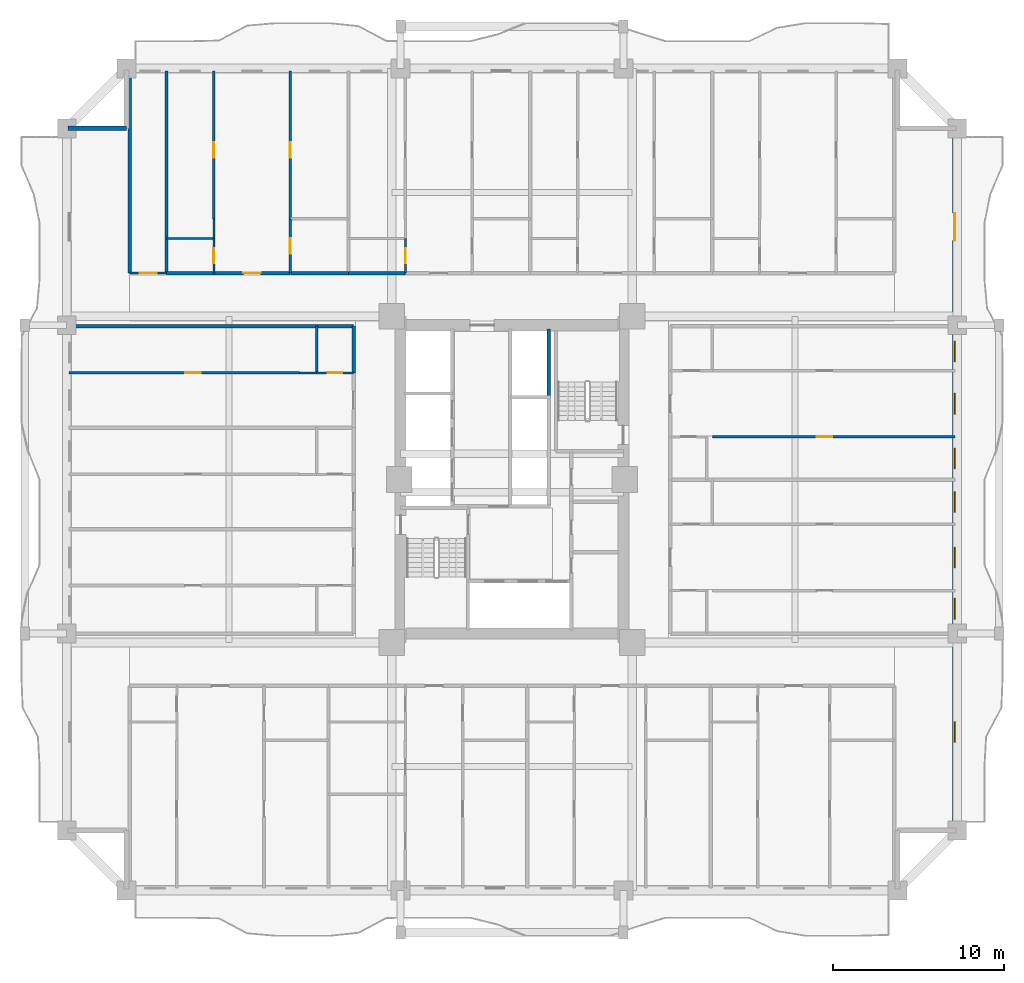
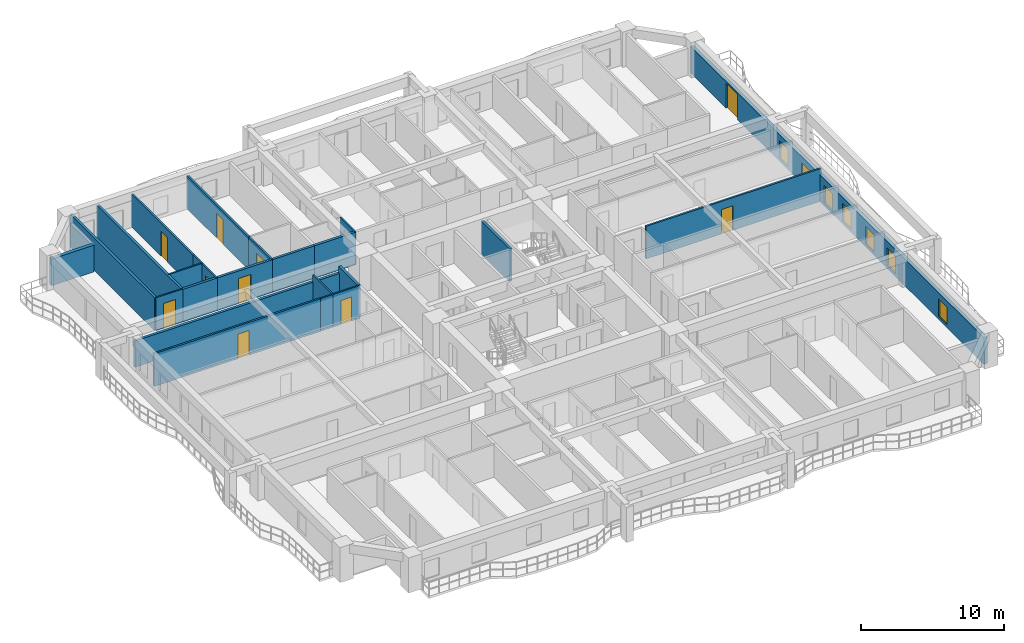
# One storey, part 6 of 16: 24 walls, 11 doors, 7 windows, 18 openings.
"""IFC4 building model written with IfcOpenShell, lengths in metres."""

from ifc_helpers import new_model, si_unit, direction, frame, frame_2d, origin, place, context, subcontext, project, spatial, rectangle, extrude, source, transform, mapped, material, layer, layer_set, type_object, element, fill, save


model = new_model("IFC4")

# Units and contexts
model_context = context("Model", 3, precision=1e-05, world=origin(), true_north=direction((0.0, 1.0)))
body_context = subcontext(model_context, "Body", "Model", "MODEL_VIEW")
ifc_project = project(units=[si_unit("LENGTHUNIT", "METRE"), si_unit("AREAUNIT", "SQUARE_METRE"), si_unit("VOLUMEUNIT", "CUBIC_METRE"), si_unit("PLANEANGLEUNIT", "RADIAN"), si_unit("MASSUNIT", "GRAM", prefix="KILO")], contexts=[model_context])

# Site, building, storey
site_placement = place(None, origin())
site = spatial("IfcSite", under=ifc_project, at=site_placement, CompositionType="ELEMENT")
building_placement = place(site_placement, origin())
building = spatial("IfcBuilding", under=site, at=building_placement, Name="Saelheon Loggia Tower", CompositionType="ELEMENT")
storey_placement = place(building_placement, frame((0.0, 0.0, 31.39990234375)))
storey = spatial("IfcBuildingStorey", under=building, at=storey_placement, Name="L09", CompositionType="ELEMENT", Elevation=31.39990234375)

# Wall, openings, windows, door
ifc_material_1 = material(Name="Architectural Precast Concrete C40/50", Category="concrete")
ifc_layer_1 = layer(ifc_material_1, 0.280029296875)
ifc_layer_set_1 = layer_set([ifc_layer_1], Name="Architectural Precast Concrete C40/50")
wall_type_1 = type_object("IfcWallType", Name="Wall_Ext_Loggia_280", PredefinedType="SOLIDWALL", material=ifc_layer_set_1)
wall_1_placement = place(storey_placement, frame((63.860107421875, 6.5, 0.0), z_axis=(0.0, 0.0, 1.0), x_axis=(0.0, 1.0, 0.0)))
wall_1 = element("IfcWall", 1, at=wall_1_placement, inside=storey, type_object=wall_type_1, Name="L09 East Loggia Inner Wall", PredefinedType="SOLIDWALL", context=body_context, shape_type="SweptSolid", body=[
    extrude(rectangle(XDim=41.0, YDim=0.280029296875, at=frame_2d((20.5, 0.0))), origin(), (0.0, 0.0, 1.0), 2.280029296875),
])
opening_1_placement = place(wall_1_placement, frame((5.14990234375, 0.0, 0.25)))
opening_1 = element("IfcOpeningElement", 2, at=opening_1_placement, cuts=wall_1, Name="Opening WN-03", PredefinedType="OPENING", context=body_context, shape_type="SweptSolid", body=[
    extrude(rectangle(XDim=1.199951171875, YDim=1.5, at=frame_2d((0.60009765625, 0.75))), frame((0.0, 0.152099609375, 0.0), z_axis=(0.0, -1.0, 0.0), x_axis=(1.0, 0.0, 0.0)), (0.0, 0.0, 1.0), 0.303955078125),
])
opening_2_placement = place(wall_1_placement, frame((12.3515625, 0.0, 0.25)))
opening_2 = element("IfcOpeningElement", 3, at=opening_2_placement, cuts=wall_1, Name="Opening WN-03", PredefinedType="OPENING", context=body_context, shape_type="SweptSolid", body=[
    extrude(rectangle(XDim=1.199951171875, YDim=1.5, at=frame_2d((0.60009765625, 0.75))), frame((0.0, 0.152099609375, 0.0), z_axis=(0.0, -1.0, 0.0), x_axis=(1.0, 0.0, 0.0)), (0.0, 0.0, 1.0), 0.303955078125),
])
opening_3_placement = place(wall_1_placement, frame((15.343994140625, 0.0, 0.25)))
opening_3 = element("IfcOpeningElement", 4, at=opening_3_placement, cuts=wall_1, Name="Opening WN-03", PredefinedType="OPENING", context=body_context, shape_type="SweptSolid", body=[
    extrude(rectangle(XDim=1.199951171875, YDim=1.5, at=frame_2d((0.60009765625, 0.75))), frame((0.0, 0.152099609375, 0.0), z_axis=(0.0, -1.0, 0.0), x_axis=(1.0, 0.0, 0.0)), (0.0, 0.0, 1.0), 0.303955078125),
])
opening_4_placement = place(wall_1_placement, frame((18.574951171875, 0.0, 0.25)))
opening_4 = element("IfcOpeningElement", 5, at=opening_4_placement, cuts=wall_1, Name="Opening WN-03", PredefinedType="OPENING", context=body_context, shape_type="SweptSolid", body=[
    extrude(rectangle(XDim=1.199951171875, YDim=1.5, at=frame_2d((0.60009765625, 0.75))), frame((0.0, 0.152099609375, 0.0), z_axis=(0.0, -1.0, 0.0), x_axis=(1.0, 0.0, 0.0)), (0.0, 0.0, 1.0), 0.303955078125),
])
opening_5_placement = place(wall_1_placement, frame((21.131591796875, 0.0, 0.25)))
opening_5 = element("IfcOpeningElement", 6, at=opening_5_placement, cuts=wall_1, Name="Opening WN-03", PredefinedType="OPENING", context=body_context, shape_type="SweptSolid", body=[
    extrude(rectangle(XDim=1.199951171875, YDim=1.5, at=frame_2d((0.60009765625, 0.75))), frame((0.0, 0.152099609375, 0.0), z_axis=(0.0, -1.0, 0.0), x_axis=(1.0, 0.0, 0.0)), (0.0, 0.0, 1.0), 0.303955078125),
])
opening_6_placement = place(wall_1_placement, frame((24.319091796875, 0.0, 0.25)))
opening_6 = element("IfcOpeningElement", 7, at=opening_6_placement, cuts=wall_1, Name="Opening WN-03", PredefinedType="OPENING", context=body_context, shape_type="SweptSolid", body=[
    extrude(rectangle(XDim=1.199951171875, YDim=1.5, at=frame_2d((0.60009765625, 0.75))), frame((0.0, 0.152099609375, 0.0), z_axis=(0.0, -1.0, 0.0), x_axis=(1.0, 0.0, 0.0)), (0.0, 0.0, 1.0), 0.303955078125),
])
opening_7_placement = place(wall_1_placement, frame((27.3798828125, 0.0, 0.25)))
opening_7 = element("IfcOpeningElement", 8, at=opening_7_placement, cuts=wall_1, Name="Opening WN-03", PredefinedType="OPENING", context=body_context, shape_type="SweptSolid", body=[
    extrude(rectangle(XDim=1.199951171875, YDim=1.5, at=frame_2d((0.60009765625, 0.75))), frame((0.0, 0.152099609375, 0.0), z_axis=(0.0, -1.0, 0.0), x_axis=(1.0, 0.0, 0.0)), (0.0, 0.0, 1.0), 0.303955078125),
])
opening_8_placement = place(wall_1_placement, frame((36.050048828125, 0.0, 0.0), z_axis=(0.0, 0.0, 1.0), x_axis=(-1.0, 0.0, 0.0)))
opening_8 = element("IfcOpeningElement", 9, at=opening_8_placement, cuts=wall_1, Name="Opening DLG-1", PredefinedType="OPENING", context=body_context, shape_type="SweptSolid", body=[
    extrude(rectangle(XDim=1.60009765625, YDim=2.14990234375, at=frame_2d((0.800048828125, 1.074951171875))), frame((0.0, 0.152099609375, 0.0), z_axis=(0.0, -1.0, 0.0), x_axis=(1.0, 0.0, 0.0)), (0.0, 0.0, 1.0), 0.303955078125),
])
ifc_material_2 = material(Name="Thermal-Break Aluminium and Triple Low-E Glass", Category="aluminium")
window_type = type_object("IfcWindowType", Name="Win_Bedroom_1200x1500", PartitioningType="SINGLE_PANEL", PredefinedType="WINDOW", material=ifc_material_2)
shared_shape_1 = source(origin(), body_context, "Body", "SweptSolid", [
    extrude(rectangle(XDim=1.199951171875, YDim=1.5, at=frame_2d((0.60009765625, 0.75))), frame((0.0, 0.030029296875, 0.0), z_axis=(0.0, -1.0, 0.0), x_axis=(1.0, 0.0, 0.0)), (0.0, 0.0, 1.0), 0.06005859375),
])
window_1_placement = place(opening_1_placement, origin())
window_1 = element("IfcWindow", 10, at=window_1_placement, inside=storey, type_object=window_type, Name="L09 E Dwelling Window 1", OverallHeight=1.5, OverallWidth=1.199951171875, PartitioningType="SINGLE_PANEL", PredefinedType="WINDOW", context=body_context, shape_type="MappedRepresentation", body=[
    mapped(shared_shape_1, transform((0.0, 0.0, 0.0), scale=1.0)),
])
fill(opening_1, window_1)
window_2_placement = place(opening_2_placement, origin())
window_2 = element("IfcWindow", 11, at=window_2_placement, inside=storey, type_object=window_type, Name="L09 E Dwelling Window 2", OverallHeight=1.5, OverallWidth=1.199951171875, PartitioningType="SINGLE_PANEL", PredefinedType="WINDOW", context=body_context, shape_type="MappedRepresentation", body=[
    mapped(shared_shape_1, transform((0.0, 0.0, 0.0), scale=1.0)),
])
fill(opening_2, window_2)
window_3_placement = place(opening_3_placement, origin())
window_3 = element("IfcWindow", 12, at=window_3_placement, inside=storey, type_object=window_type, Name="L09 E Dwelling Window 3", OverallHeight=1.5, OverallWidth=1.199951171875, PartitioningType="SINGLE_PANEL", PredefinedType="WINDOW", context=body_context, shape_type="MappedRepresentation", body=[
    mapped(shared_shape_1, transform((0.0, 0.0, 0.0), scale=1.0)),
])
fill(opening_3, window_3)
window_4_placement = place(opening_4_placement, origin())
window_4 = element("IfcWindow", 13, at=window_4_placement, inside=storey, type_object=window_type, Name="L09 E Dwelling Window 4", OverallHeight=1.5, OverallWidth=1.199951171875, PartitioningType="SINGLE_PANEL", PredefinedType="WINDOW", context=body_context, shape_type="MappedRepresentation", body=[
    mapped(shared_shape_1, transform((0.0, 0.0, 0.0), scale=1.0)),
])
fill(opening_4, window_4)
window_5_placement = place(opening_5_placement, origin())
window_5 = element("IfcWindow", 14, at=window_5_placement, inside=storey, type_object=window_type, Name="L09 E Dwelling Window 5", OverallHeight=1.5, OverallWidth=1.199951171875, PartitioningType="SINGLE_PANEL", PredefinedType="WINDOW", context=body_context, shape_type="MappedRepresentation", body=[
    mapped(shared_shape_1, transform((0.0, 0.0, 0.0), scale=1.0)),
])
fill(opening_5, window_5)
window_6_placement = place(opening_6_placement, origin())
window_6 = element("IfcWindow", 15, at=window_6_placement, inside=storey, type_object=window_type, Name="L09 E Dwelling Window 6", OverallHeight=1.5, OverallWidth=1.199951171875, PartitioningType="SINGLE_PANEL", PredefinedType="WINDOW", context=body_context, shape_type="MappedRepresentation", body=[
    mapped(shared_shape_1, transform((0.0, 0.0, 0.0), scale=1.0)),
])
fill(opening_6, window_6)
window_7_placement = place(opening_7_placement, origin())
window_7 = element("IfcWindow", 16, at=window_7_placement, inside=storey, type_object=window_type, Name="L09 E Dwelling Window 7", OverallHeight=1.5, OverallWidth=1.199951171875, PartitioningType="SINGLE_PANEL", PredefinedType="WINDOW", context=body_context, shape_type="MappedRepresentation", body=[
    mapped(shared_shape_1, transform((0.0, 0.0, 0.0), scale=1.0)),
])
fill(opening_7, window_7)
ifc_material_3 = material(Name="Thermal-Break Aluminium Sliding Glazed Door", Category="aluminium")
door_type_1 = type_object("IfcDoorType", Name="Door_LoggiaSlide_1600", OperationType="SLIDING_TO_LEFT", PredefinedType="DOOR", material=ifc_material_3)
shared_shape_2 = source(origin(), body_context, "Body", "SweptSolid", [
    extrude(rectangle(XDim=1.60009765625, YDim=2.14990234375, at=frame_2d((0.800048828125, 1.074951171875))), frame((0.0, 0.02490234375, 0.0), z_axis=(0.0, -1.0, 0.0), x_axis=(1.0, 0.0, 0.0)), (0.0, 0.0, 1.0), 0.050048828125),
])
door_1_placement = place(opening_8_placement, origin())
door_1 = element("IfcDoor", 17, at=door_1_placement, inside=storey, type_object=door_type_1, Name="L09 E Loggia Access Door", OperationType="SLIDING_TO_LEFT", OverallHeight=2.14990234375, OverallWidth=1.60009765625, PredefinedType="DOOR", context=body_context, shape_type="MappedRepresentation", body=[
    mapped(shared_shape_2, transform((0.0, 0.0, 0.0), scale=1.0)),
])
fill(opening_8, door_1)

# Wall
wall_2_placement = place(storey_placement, frame((12.080078125, 47.5, 0.0), z_axis=(0.0, 0.0, 1.0), x_axis=(1.0, 0.0, 0.0)))
element("IfcWall", 18, at=wall_2_placement, inside=storey, type_object=wall_type_1, Name="L09 Corner Notch Precast Wall NW2", PredefinedType="SOLIDWALL", context=body_context, shape_type="SweptSolid", body=[
    extrude(rectangle(XDim=3.419921875, YDim=0.280029296875, at=frame_2d((1.7099609375, 0.0))), origin(), (0.0, 0.0, 1.0), 2.280029296875),
])

# Wall, opening, door
ifc_material_4 = material(Name="Lightweight Autoclaved Aerated Concrete Block and Acoustic Gypsum", Category="concrete")
ifc_layer_2 = layer(ifc_material_4, 0.14990234375)
ifc_layer_set_2 = layer_set([ifc_layer_2], Name="Lightweight Autoclaved Aerated Concrete Block and Acoustic Gypsum")
wall_type_2 = type_object("IfcWallType", Name="Wall_Part_150", PredefinedType="PARTITIONING", material=ifc_layer_set_2)
wall_3_placement = place(storey_placement, frame((20.591796875, 42.219970703125, 0.0), z_axis=(0.0, 0.0, 1.0), x_axis=(0.0, 1.0, 0.0)))
wall_3 = element("IfcWall", 19, at=wall_3_placement, inside=storey, type_object=wall_type_2, Name="L09 N Partition U12", PredefinedType="PARTITIONING", context=body_context, shape_type="SweptSolid", body=[
    extrude(rectangle(XDim=8.630126953125, YDim=0.14990234375, at=frame_2d((4.31494140625, 0.0))), origin(), (0.0, 0.0, 1.0), 2.7900390625),
])
opening_9_placement = place(wall_3_placement, frame((3.56298828125, 0.0, 0.0)))
opening_9 = element("IfcOpeningElement", 20, at=opening_9_placement, cuts=wall_3, Name="Opening D-IN2", PredefinedType="OPENING", context=body_context, shape_type="SweptSolid", body=[
    extrude(rectangle(XDim=0.89990234375, YDim=2.10009765625, at=frame_2d((0.449951171875, 1.050048828125))), frame((0.0, 0.0869140625, 0.0), z_axis=(0.0, -1.0, 0.0), x_axis=(1.0, 0.0, 0.0)), (0.0, 0.0, 1.0), 0.173828125),
])
ifc_material_5 = material(Name="Engineered Oak Flush Door", Category="timber")
door_type_2 = type_object("IfcDoorType", Name="Door_Int_900", OperationType="NOTDEFINED", PredefinedType="DOOR", material=ifc_material_5)
shared_shape_3 = source(origin(), body_context, "Body", "SweptSolid", [
    extrude(rectangle(XDim=0.89990234375, YDim=2.10009765625, at=frame_2d((0.449951171875, 1.050048828125))), frame((0.0, 0.02490234375, 0.0), z_axis=(0.0, -1.0, 0.0), x_axis=(1.0, 0.0, 0.0)), (0.0, 0.0, 1.0), 0.050048828125),
])
door_2_placement = place(opening_9_placement, origin())
door_2 = element("IfcDoor", 21, at=door_2_placement, inside=storey, type_object=door_type_2, Name="Unit U05 Bedroom 2 Door", OperationType="SINGLE_SWING_LEFT", OverallHeight=2.10009765625, OverallWidth=0.89990234375, PredefinedType="DOOR", context=body_context, shape_type="MappedRepresentation", body=[
    mapped(shared_shape_3, transform((0.0, 0.0, 0.0), scale=1.0)),
])
fill(opening_9, door_2)

wall_4_placement = place(storey_placement, frame((25.05322265625, 39.050048828125, 0.0), z_axis=(0.0, 0.0, 1.0), x_axis=(0.0, 1.0, 0.0)))
wall_4 = element("IfcWall", 22, at=wall_4_placement, inside=storey, type_object=wall_type_2, Name="L09 N Partition U13", PredefinedType="PARTITIONING", context=body_context, shape_type="SweptSolid", body=[
    extrude(rectangle(XDim=3.169921875, YDim=0.14990234375, at=frame_2d((1.5849609375, 0.0))), origin(), (0.0, 0.0, 1.0), 2.7900390625),
])
opening_10_placement = place(wall_4_placement, frame((1.135009765625, 0.0, 0.0)))
opening_10 = element("IfcOpeningElement", 23, at=opening_10_placement, cuts=wall_4, Name="Opening D-IN2", PredefinedType="OPENING", context=body_context, shape_type="SweptSolid", body=[
    extrude(rectangle(XDim=0.89990234375, YDim=2.10009765625, at=frame_2d((0.449951171875, 1.050048828125))), frame((0.0, 0.0869140625, 0.0), z_axis=(0.0, -1.0, 0.0), x_axis=(1.0, 0.0, 0.0)), (0.0, 0.0, 1.0), 0.173828125),
])
door_3_placement = place(opening_10_placement, origin())
door_3 = element("IfcDoor", 24, at=door_3_placement, inside=storey, type_object=door_type_2, Name="Unit U05 Kitchen Door", OperationType="SINGLE_SWING_RIGHT", OverallHeight=2.10009765625, OverallWidth=0.89990234375, PredefinedType="DOOR", context=body_context, shape_type="MappedRepresentation", body=[
    mapped(shared_shape_3, transform((0.0, 0.0, 0.0), scale=1.0)),
])
fill(opening_10, door_3)

wall_5_placement = place(storey_placement, frame((25.05322265625, 42.219970703125, 0.0), z_axis=(0.0, 0.0, 1.0), x_axis=(0.0, 1.0, 0.0)))
wall_5 = element("IfcWall", 25, at=wall_5_placement, inside=storey, type_object=wall_type_2, Name="L09 N Partition U14", PredefinedType="PARTITIONING", context=body_context, shape_type="SweptSolid", body=[
    extrude(rectangle(XDim=8.630126953125, YDim=0.14990234375, at=frame_2d((4.31494140625, 0.0))), origin(), (0.0, 0.0, 1.0), 2.7900390625),
])
opening_11_placement = place(wall_5_placement, frame((3.56298828125, 0.0, 0.0)))
opening_11 = element("IfcOpeningElement", 26, at=opening_11_placement, cuts=wall_5, Name="Opening D-IN2", PredefinedType="OPENING", context=body_context, shape_type="SweptSolid", body=[
    extrude(rectangle(XDim=0.89990234375, YDim=2.10009765625, at=frame_2d((0.449951171875, 1.050048828125))), frame((0.0, 0.0869140625, 0.0), z_axis=(0.0, -1.0, 0.0), x_axis=(1.0, 0.0, 0.0)), (0.0, 0.0, 1.0), 0.173828125),
])
door_4_placement = place(opening_11_placement, origin())
door_4 = element("IfcDoor", 27, at=door_4_placement, inside=storey, type_object=door_type_2, Name="Unit U05 Bedroom 1 Door", OperationType="SINGLE_SWING_LEFT", OverallHeight=2.10009765625, OverallWidth=0.89990234375, PredefinedType="DOOR", context=body_context, shape_type="MappedRepresentation", body=[
    mapped(shared_shape_3, transform((0.0, 0.0, 0.0), scale=1.0)),
])
fill(opening_11, door_4)

wall_6_placement = place(storey_placement, frame((25.580078125, 33.22509765625, 0.0), z_axis=(0.0, 0.0, 1.0), x_axis=(-1.0, 0.0, 0.0)))
wall_6 = element("IfcWall", 28, at=wall_6_placement, inside=storey, type_object=wall_type_2, Name="L09 W Partition U22", PredefinedType="PARTITIONING", context=body_context, shape_type="SweptSolid", body=[
    extrude(rectangle(XDim=13.43017578125, YDim=0.14990234375, at=frame_2d((6.715087890625, 0.0))), origin(), (0.0, 0.0, 1.0), 2.7900390625),
])
opening_12_placement = place(wall_6_placement, frame((5.762939453125, 0.0, 0.0)))
opening_12 = element("IfcOpeningElement", 29, at=opening_12_placement, cuts=wall_6, Name="Opening D-IN2", PredefinedType="OPENING", context=body_context, shape_type="SweptSolid", body=[
    extrude(rectangle(XDim=0.89990234375, YDim=2.10009765625, at=frame_2d((0.449951171875, 1.050048828125))), frame((0.0, 0.0869140625, 0.0), z_axis=(0.0, -1.0, 0.0), x_axis=(1.0, 0.0, 0.0)), (0.0, 0.0, 1.0), 0.173828125),
])
door_5_placement = place(opening_12_placement, origin())
door_5 = element("IfcDoor", 30, at=door_5_placement, inside=storey, type_object=door_type_2, Name="Unit U11 Kitchen Door", OperationType="SINGLE_SWING_LEFT", OverallHeight=2.10009765625, OverallWidth=0.89990234375, PredefinedType="DOOR", context=body_context, shape_type="MappedRepresentation", body=[
    mapped(shared_shape_3, transform((0.0, 0.0, 0.0), scale=1.0)),
])
fill(opening_12, door_5)

wall_7_placement = place(storey_placement, frame((49.699951171875, 29.488037109375, 0.0), z_axis=(0.0, 0.0, 1.0), x_axis=(1.0, 0.0, 0.0)))
wall_7 = element("IfcWall", 31, at=wall_7_placement, inside=storey, type_object=wall_type_2, Name="L09 E Partition U19", PredefinedType="PARTITIONING", context=body_context, shape_type="SweptSolid", body=[
    extrude(rectangle(XDim=14.150146484375, YDim=0.14990234375, at=frame_2d((7.0751953125, 0.0))), origin(), (0.0, 0.0, 1.0), 2.7900390625),
])
opening_13_placement = place(wall_7_placement, frame((6.093017578125, 0.0, 0.0)))
opening_13 = element("IfcOpeningElement", 32, at=opening_13_placement, cuts=wall_7, Name="Opening D-IN2", PredefinedType="OPENING", context=body_context, shape_type="SweptSolid", body=[
    extrude(rectangle(XDim=0.89990234375, YDim=2.10009765625, at=frame_2d((0.449951171875, 1.050048828125))), frame((0.0, 0.0869140625, 0.0), z_axis=(0.0, -1.0, 0.0), x_axis=(1.0, 0.0, 0.0)), (0.0, 0.0, 1.0), 0.173828125),
])
door_6_placement = place(opening_13_placement, origin())
door_6 = element("IfcDoor", 33, at=door_6_placement, inside=storey, type_object=door_type_2, Name="Unit U13 Kitchen Door", OperationType="SINGLE_SWING_LEFT", OverallHeight=2.10009765625, OverallWidth=0.89990234375, PredefinedType="DOOR", context=body_context, shape_type="MappedRepresentation", body=[
    mapped(shared_shape_3, transform((0.0, 0.0, 0.0), scale=1.0)),
])
fill(opening_13, door_6)

# Walls
ifc_material_6 = material(Name="Double Acoustic Stud and Fireboard Partition", Category="gypsum")
ifc_layer_3 = layer(ifc_material_6, 0.199951171875)
ifc_layer_set_3 = layer_set([ifc_layer_3], Name="Double Acoustic Stud and Fireboard Partition")
wall_type_3 = type_object("IfcWallType", Name="Wall_Party_200", PredefinedType="PARTITIONING", material=ifc_layer_set_3)
for number, where, z_axis, x_axis, name in (
    (34, (15.679931640625, 39.050048828125, 0.0), (0.0, 0.0, 1.0), (0.0, 1.0, 0.0), "L09 N Partition U01"),
    (35, (17.830078125, 39.050048828125, 0.0), (0.0, 0.0, 1.0), (0.0, 1.0, 0.0), "L09 N Partition U03"),
):
    element("IfcWall", number, at=place(storey_placement, frame(where, z_axis=z_axis, x_axis=x_axis)), inside=storey, type_object=wall_type_3, Name=name, PredefinedType="PARTITIONING", context=body_context, shape_type="SweptSolid", body=[
        extrude(rectangle(XDim=11.800048828125, YDim=0.199951171875, at=frame_2d((5.89990234375, 0.0))), origin(), (0.0, 0.0, 1.0), 2.7900390625),
    ])
wall_8_placement = place(storey_placement, frame((17.830078125, 39.050048828125, 0.0), z_axis=(0.0, 0.0, 1.0), x_axis=(1.0, 0.0, 0.0)))
element("IfcWall", 36, at=wall_8_placement, inside=storey, type_object=wall_type_3, Name="L09 N Partition V05", PredefinedType="PARTITIONING", context=body_context, shape_type="SweptSolid", body=[
    extrude(rectangle(XDim=2.76171875, YDim=0.199951171875, at=frame_2d((1.380859375, 0.0))), origin(), (0.0, 0.0, 1.0), 2.7900390625),
])

# Wall, opening, door
wall_9_placement = place(storey_placement, frame((20.591796875, 39.050048828125, 0.0), z_axis=(0.0, 0.0, 1.0), x_axis=(1.0, 0.0, 0.0)))
wall_9 = element("IfcWall", 37, at=wall_9_placement, inside=storey, type_object=wall_type_3, Name="L09 N Partition V06", PredefinedType="PARTITIONING", context=body_context, shape_type="SweptSolid", body=[
    extrude(rectangle(XDim=4.46142578125, YDim=0.199951171875, at=frame_2d((2.230712890625, 0.0))), origin(), (0.0, 0.0, 1.0), 2.7900390625),
])
opening_14_placement = place(wall_9_placement, frame((1.730712890625, 0.0, 0.0)))
opening_14 = element("IfcOpeningElement", 38, at=opening_14_placement, cuts=wall_9, Name="Opening D-FD1", PredefinedType="OPENING", context=body_context, shape_type="SweptSolid", body=[
    extrude(rectangle(XDim=1.0, YDim=2.14990234375, at=frame_2d((0.5, 1.074951171875))), frame((0.0, 0.112060546875, 0.0), z_axis=(0.0, -1.0, 0.0), x_axis=(1.0, 0.0, 0.0)), (0.0, 0.0, 1.0), 0.223876953125),
])
ifc_material_7 = material(Name="Fire-Rated Engineered Timber Entrance Door", Category="wood")
door_type_3 = type_object("IfcDoorType", Name="Door_Flat_FD30S", OperationType="NOTDEFINED", PredefinedType="DOOR", material=ifc_material_7)
shared_shape_4 = source(origin(), body_context, "Body", "SweptSolid", [
    extrude(rectangle(XDim=1.0, YDim=2.14990234375, at=frame_2d((0.5, 1.074951171875))), frame((0.0, 0.02490234375, 0.0), z_axis=(0.0, -1.0, 0.0), x_axis=(1.0, 0.0, 0.0)), (0.0, 0.0, 1.0), 0.050048828125),
])
door_7_placement = place(opening_14_placement, origin())
door_7 = element("IfcDoor", 39, at=door_7_placement, inside=storey, type_object=door_type_3, Name="Unit U05 Entrance Door", OperationType="SINGLE_SWING_LEFT", OverallHeight=2.14990234375, OverallWidth=1.0, PredefinedType="DOOR", context=body_context, shape_type="MappedRepresentation", body=[
    mapped(shared_shape_4, transform((0.0, 0.0, 0.0), scale=1.0)),
])
fill(opening_14, door_7)

# Walls
wall_10_placement = place(storey_placement, frame((25.05322265625, 39.050048828125, 0.0), z_axis=(0.0, 0.0, 1.0), x_axis=(1.0, 0.0, 0.0)))
element("IfcWall", 40, at=wall_10_placement, inside=storey, type_object=wall_type_3, Name="L09 N Partition V07", PredefinedType="PARTITIONING", context=body_context, shape_type="SweptSolid", body=[
    extrude(rectangle(XDim=3.399169921875, YDim=0.199951171875, at=frame_2d((1.69970703125, 0.0))), origin(), (0.0, 0.0, 1.0), 2.7900390625),
])
wall_11_placement = place(storey_placement, frame((28.452392578125, 39.050048828125, 0.0), z_axis=(0.0, 0.0, 1.0), x_axis=(1.0, 0.0, 0.0)))
element("IfcWall", 41, at=wall_11_placement, inside=storey, type_object=wall_type_3, Name="L09 N Partition V16", PredefinedType="PARTITIONING", context=body_context, shape_type="SweptSolid", body=[
    extrude(rectangle(XDim=3.32763671875, YDim=0.199951171875, at=frame_2d((1.663818359375, 0.0))), origin(), (0.0, 0.0, 1.0), 2.7900390625),
])
wall_12_placement = place(storey_placement, frame((28.75, 35.949951171875, 0.0), z_axis=(0.0, 0.0, 1.0), x_axis=(-1.0, 0.0, 0.0)))
element("IfcWall", 42, at=wall_12_placement, inside=storey, type_object=wall_type_3, Name="L09 W Partition U02", PredefinedType="PARTITIONING", context=body_context, shape_type="SweptSolid", body=[
    extrude(rectangle(XDim=16.60009765625, YDim=0.199951171875, at=frame_2d((8.300048828125, 0.0))), origin(), (0.0, 0.0, 1.0), 2.239990234375),
])
wall_13_placement = place(storey_placement, frame((28.75, 33.22509765625, 0.0), z_axis=(0.0, 0.0, 1.0), x_axis=(0.0, 1.0, 0.0)))
element("IfcWall", 43, at=wall_13_placement, inside=storey, type_object=wall_type_3, Name="L09 W Partition V18", PredefinedType="PARTITIONING", context=body_context, shape_type="SweptSolid", body=[
    extrude(rectangle(XDim=2.724853515625, YDim=0.199951171875, at=frame_2d((1.3623046875, 0.0))), origin(), (0.0, 0.0, 1.0), 2.7900390625),
])
ifc_material_8 = material(Name="Concrete C40/50", Category="concrete")
ifc_layer_4 = layer(ifc_material_8, 0.199951171875)
ifc_layer_set_4 = layer_set([ifc_layer_4], Name="Concrete C40/50")
wall_type_4 = type_object("IfcWallType", Name="Wall_Shaft_200", PredefinedType="PARTITIONING", material=ifc_layer_set_4)
wall_14_placement = place(storey_placement, frame((40.14990234375, 31.800048828125, 0.0), z_axis=(0.0, 0.0, 1.0), x_axis=(0.0, 1.0, 0.0)))
element("IfcWall", 44, at=wall_14_placement, inside=storey, type_object=wall_type_4, Name="L09 East High-Rise Hoistway East Wall", PredefinedType="PARTITIONING", context=body_context, shape_type="SweptSolid", body=[
    extrude(rectangle(XDim=3.97998046875, YDim=0.199951171875, at=frame_2d((1.989990234375, 0.0))), origin(), (0.0, 0.0, 1.0), 2.7900390625),
])

# Wall, opening, door
ifc_material_9 = material(Name="Moisture-Resistant Cement Board Partition", Category="gypsum")
ifc_layer_5 = layer(ifc_material_9, 0.1201171875)
ifc_layer_set_5 = layer_set([ifc_layer_5], Name="Moisture-Resistant Cement Board Partition")
wall_type_5 = type_object("IfcWallType", Name="Wall_WetPart_120", PredefinedType="PARTITIONING", material=ifc_layer_set_5)
wall_15_placement = place(storey_placement, frame((15.679931640625, 39.050048828125, 0.0), z_axis=(0.0, 0.0, 1.0), x_axis=(1.0, 0.0, 0.0)))
wall_15 = element("IfcWall", 45, at=wall_15_placement, inside=storey, type_object=wall_type_5, Name="L09 N Partition V04", PredefinedType="PARTITIONING", context=body_context, shape_type="SweptSolid", body=[
    extrude(rectangle(XDim=2.150146484375, YDim=0.1201171875, at=frame_2d((1.0751953125, 0.0))), origin(), (0.0, 0.0, 1.0), 2.7900390625),
])
opening_15_placement = place(wall_15_placement, frame((0.574951171875, 0.0, 0.0)))
opening_15 = element("IfcOpeningElement", 46, at=opening_15_placement, cuts=wall_15, Name="Opening D-AC1", PredefinedType="OPENING", context=body_context, shape_type="SweptSolid", body=[
    extrude(rectangle(XDim=1.0, YDim=2.10009765625, at=frame_2d((0.5, 1.050048828125))), frame((0.0, 0.072021484375, 0.0), z_axis=(0.0, -1.0, 0.0), x_axis=(1.0, 0.0, 0.0)), (0.0, 0.0, 1.0), 0.14404296875),
])
ifc_material_10 = material(Name="Accessible Laminate Flush Door", Category="timber")
door_type_4 = type_object("IfcDoorType", Name="Door_Acc_1000", OperationType="NOTDEFINED", PredefinedType="DOOR", material=ifc_material_10)
shared_shape_5 = source(origin(), body_context, "Body", "SweptSolid", [
    extrude(rectangle(XDim=1.0, YDim=2.10009765625, at=frame_2d((0.5, 1.050048828125))), frame((0.0, 0.02490234375, 0.0), z_axis=(0.0, -1.0, 0.0), x_axis=(1.0, 0.0, 0.0)), (0.0, 0.0, 1.0), 0.050048828125),
])
door_8_placement = place(opening_15_placement, origin())
door_8 = element("IfcDoor", 47, at=door_8_placement, inside=storey, type_object=door_type_4, Name="L09 Floor Accessible WC Door", OperationType="SINGLE_SWING_RIGHT", OverallHeight=2.10009765625, OverallWidth=1.0, PredefinedType="DOOR", context=body_context, shape_type="MappedRepresentation", body=[
    mapped(shared_shape_5, transform((0.0, 0.0, 0.0), scale=1.0)),
])
fill(opening_15, door_8)

# Wall
wall_16_placement = place(storey_placement, frame((17.830078125, 41.070068359375, 0.0), z_axis=(0.0, 0.0, 1.0), x_axis=(1.0, 0.0, 0.0)))
element("IfcWall", 48, at=wall_16_placement, inside=storey, type_object=wall_type_5, Name="L09 N Partition V08", PredefinedType="PARTITIONING", context=body_context, shape_type="SweptSolid", body=[
    extrude(rectangle(XDim=2.76171875, YDim=0.1201171875, at=frame_2d((1.380859375, 0.0))), origin(), (0.0, 0.0, 1.0), 2.7900390625),
])

# Wall, opening, door
wall_17_placement = place(storey_placement, frame((20.591796875, 39.050048828125, 0.0), z_axis=(0.0, 0.0, 1.0), x_axis=(0.0, 1.0, 0.0)))
wall_17 = element("IfcWall", 49, at=wall_17_placement, inside=storey, type_object=wall_type_5, Name="L09 N Partition U10", PredefinedType="PARTITIONING", context=body_context, shape_type="SweptSolid", body=[
    extrude(rectangle(XDim=2.02001953125, YDim=0.1201171875, at=frame_2d((1.010009765625, 0.0))), origin(), (0.0, 0.0, 1.0), 2.7900390625),
])
opening_16_placement = place(wall_17_placement, frame((0.5849609375, 0.0, 0.0)))
opening_16 = element("IfcOpeningElement", 50, at=opening_16_placement, cuts=wall_17, Name="Opening D-BT1", PredefinedType="OPENING", context=body_context, shape_type="SweptSolid", body=[
    extrude(rectangle(XDim=0.85009765625, YDim=2.050048828125, at=frame_2d((0.425048828125, 1.02490234375))), frame((0.0, 0.072021484375, 0.0), z_axis=(0.0, -1.0, 0.0), x_axis=(1.0, 0.0, 0.0)), (0.0, 0.0, 1.0), 0.14404296875),
])
ifc_material_11 = material(Name="Moisture-Resistant Laminate Timber Door", Category="wood")
door_type_5 = type_object("IfcDoorType", Name="Door_Bath_850", OperationType="NOTDEFINED", PredefinedType="DOOR", material=ifc_material_11)
shared_shape_6 = source(origin(), body_context, "Body", "SweptSolid", [
    extrude(rectangle(XDim=0.85009765625, YDim=2.050048828125, at=frame_2d((0.425048828125, 1.02490234375))), frame((0.0, 0.02490234375, 0.0), z_axis=(0.0, -1.0, 0.0), x_axis=(1.0, 0.0, 0.0)), (0.0, 0.0, 1.0), 0.050048828125),
])
door_9_placement = place(opening_16_placement, origin())
door_9 = element("IfcDoor", 51, at=door_9_placement, inside=storey, type_object=door_type_5, Name="Unit U05 Bathroom Door", OperationType="SINGLE_SWING_RIGHT", OverallHeight=2.050048828125, OverallWidth=0.85009765625, PredefinedType="DOOR", context=body_context, shape_type="MappedRepresentation", body=[
    mapped(shared_shape_6, transform((0.0, 0.0, 0.0), scale=1.0)),
])
fill(opening_16, door_9)

# Wall
wall_18_placement = place(storey_placement, frame((20.591796875, 41.070068359375, 0.0), z_axis=(0.0, 0.0, 1.0), x_axis=(0.0, 1.0, 0.0)))
element("IfcWall", 52, at=wall_18_placement, inside=storey, type_object=wall_type_5, Name="L09 N Partition U11", PredefinedType="PARTITIONING", context=body_context, shape_type="SweptSolid", body=[
    extrude(rectangle(XDim=1.14990234375, YDim=0.1201171875, at=frame_2d((0.574951171875, 0.0))), origin(), (0.0, 0.0, 1.0), 2.7900390625),
])

# Wall, opening, door
wall_19_placement = place(storey_placement, frame((31.780029296875, 39.050048828125, 0.0), z_axis=(0.0, 0.0, 1.0), x_axis=(0.0, 1.0, 0.0)))
wall_19 = element("IfcWall", 53, at=wall_19_placement, inside=storey, type_object=wall_type_5, Name="L09 N Partition U21", PredefinedType="PARTITIONING", context=body_context, shape_type="SweptSolid", body=[
    extrude(rectangle(XDim=2.02001953125, YDim=0.1201171875, at=frame_2d((1.010009765625, 0.0))), origin(), (0.0, 0.0, 1.0), 2.7900390625),
])
opening_17_placement = place(wall_19_placement, frame((0.5849609375, 0.0, 0.0)))
opening_17 = element("IfcOpeningElement", 54, at=opening_17_placement, cuts=wall_19, Name="Opening D-BT1", PredefinedType="OPENING", context=body_context, shape_type="SweptSolid", body=[
    extrude(rectangle(XDim=0.85009765625, YDim=2.050048828125, at=frame_2d((0.425048828125, 1.02490234375))), frame((0.0, 0.072021484375, 0.0), z_axis=(0.0, -1.0, 0.0), x_axis=(1.0, 0.0, 0.0)), (0.0, 0.0, 1.0), 0.14404296875),
])
door_10_placement = place(opening_17_placement, origin())
door_10 = element("IfcDoor", 55, at=door_10_placement, inside=storey, type_object=door_type_5, Name="Unit U06 Bathroom Door", OperationType="SINGLE_SWING_LEFT", OverallHeight=2.050048828125, OverallWidth=0.85009765625, PredefinedType="DOOR", context=body_context, shape_type="MappedRepresentation", body=[
    mapped(shared_shape_6, transform((0.0, 0.0, 0.0), scale=1.0)),
])
fill(opening_17, door_10)

wall_20_placement = place(storey_placement, frame((28.75, 33.22509765625, 0.0), z_axis=(0.0, 0.0, 1.0), x_axis=(-1.0, 0.0, 0.0)))
wall_20 = element("IfcWall", 56, at=wall_20_placement, inside=storey, type_object=wall_type_5, Name="L09 W Partition U19", PredefinedType="PARTITIONING", context=body_context, shape_type="SweptSolid", body=[
    extrude(rectangle(XDim=2.14990234375, YDim=0.1201171875, at=frame_2d((1.074951171875, 0.0))), origin(), (0.0, 0.0, 1.0), 2.7900390625),
])
opening_18_placement = place(wall_20_placement, frame((0.64990234375, 0.0, 0.0)))
opening_18 = element("IfcOpeningElement", 57, at=opening_18_placement, cuts=wall_20, Name="Opening D-BT1", PredefinedType="OPENING", context=body_context, shape_type="SweptSolid", body=[
    extrude(rectangle(XDim=0.85009765625, YDim=2.050048828125, at=frame_2d((0.425048828125, 1.02490234375))), frame((0.0, 0.072021484375, 0.0), z_axis=(0.0, -1.0, 0.0), x_axis=(1.0, 0.0, 0.0)), (0.0, 0.0, 1.0), 0.14404296875),
])
door_11_placement = place(opening_18_placement, origin())
door_11 = element("IfcDoor", 58, at=door_11_placement, inside=storey, type_object=door_type_5, Name="Unit U11 Bathroom Door", OperationType="SINGLE_SWING_RIGHT", OverallHeight=2.050048828125, OverallWidth=0.85009765625, PredefinedType="DOOR", context=body_context, shape_type="MappedRepresentation", body=[
    mapped(shared_shape_6, transform((0.0, 0.0, 0.0), scale=1.0)),
])
fill(opening_18, door_11)

# Walls
wall_21_placement = place(storey_placement, frame((26.60009765625, 33.22509765625, 0.0), z_axis=(0.0, 0.0, 1.0), x_axis=(-1.0, 0.0, 0.0)))
element("IfcWall", 59, at=wall_21_placement, inside=storey, type_object=wall_type_5, Name="L09 W Partition U20", PredefinedType="PARTITIONING", context=body_context, shape_type="SweptSolid", body=[
    extrude(rectangle(XDim=1.02001953125, YDim=0.1201171875, at=frame_2d((0.510009765625, 0.0))), origin(), (0.0, 0.0, 1.0), 2.7900390625),
])
wall_22_placement = place(storey_placement, frame((26.60009765625, 33.22509765625, 0.0), z_axis=(0.0, 0.0, 1.0), x_axis=(0.0, 1.0, 0.0)))
element("IfcWall", 60, at=wall_22_placement, inside=storey, type_object=wall_type_5, Name="L09 W Partition V21", PredefinedType="PARTITIONING", context=body_context, shape_type="SweptSolid", body=[
    extrude(rectangle(XDim=2.724853515625, YDim=0.1201171875, at=frame_2d((1.3623046875, 0.0))), origin(), (0.0, 0.0, 1.0), 2.7900390625),
])

save(model, "model.ifc")
